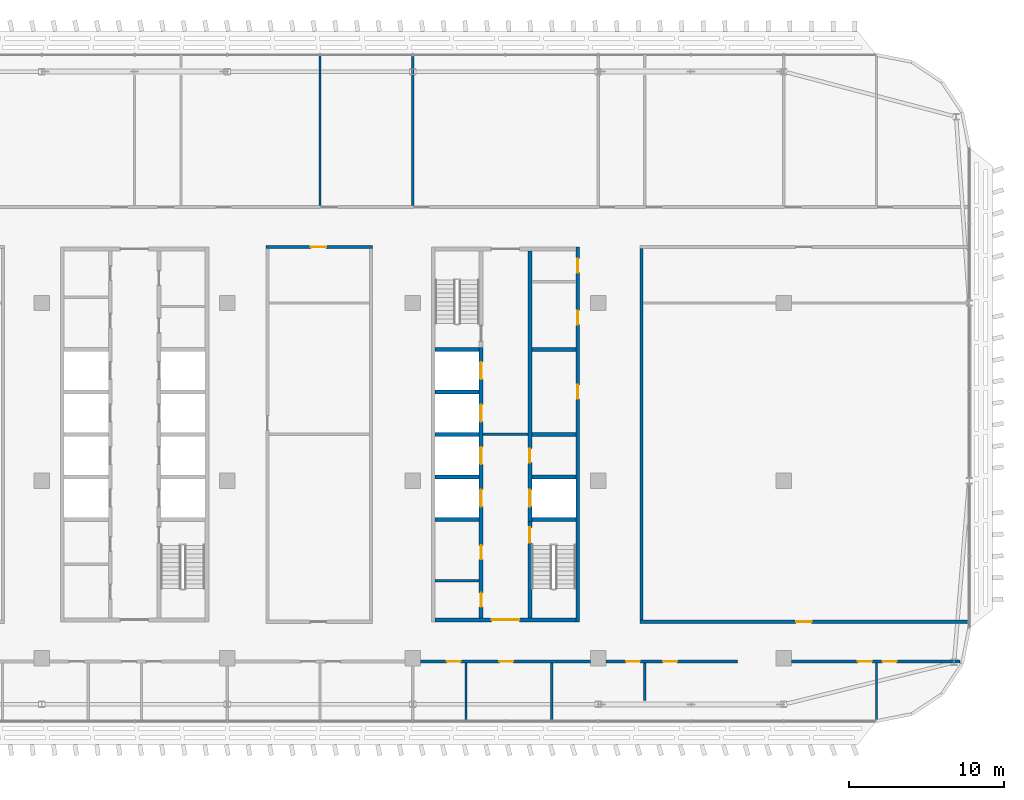
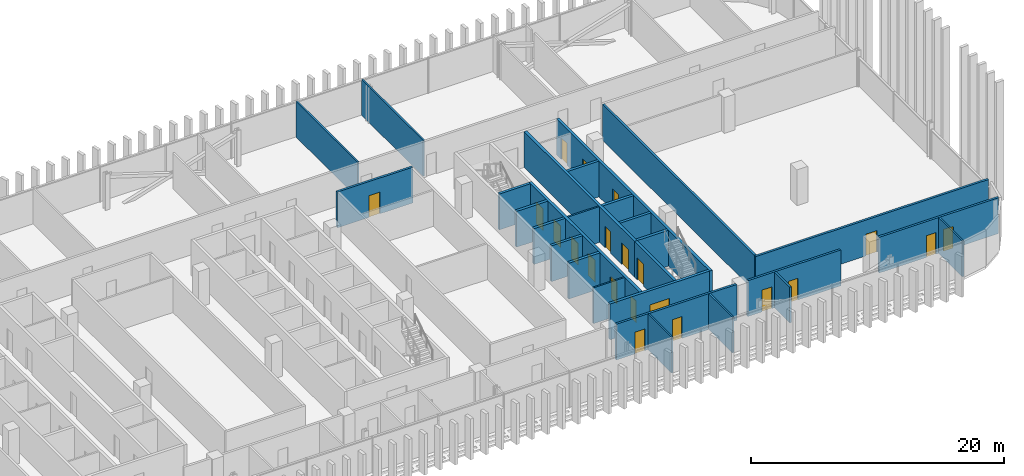
# One storey, part 20 of 32: 28 walls, 21 doors, 21 openings.
"""IFC4 building model written with IfcOpenShell, lengths in metres."""

from ifc_helpers import new_model, si_unit, direction, frame, frame_2d, origin, place, context, subcontext, project, spatial, rectangle, extrude, material, layer, layer_set, type_object, element, fill, save


model = new_model("IFC4")

# Units and contexts
model_context = context("Model", 3, precision=1e-05, world=origin(), true_north=direction((0.0, 1.0)))
body_context = subcontext(model_context, "Body", "Model", "MODEL_VIEW")
ifc_project = project(units=[si_unit("LENGTHUNIT", "METRE"), si_unit("AREAUNIT", "SQUARE_METRE"), si_unit("VOLUMEUNIT", "CUBIC_METRE"), si_unit("PLANEANGLEUNIT", "RADIAN"), si_unit("MASSUNIT", "GRAM", prefix="KILO")], contexts=[model_context])

# Site, building, storey
site_placement = place(None, origin())
site = spatial("IfcSite", under=ifc_project, at=site_placement, CompositionType="ELEMENT")
building_placement = place(site_placement, origin())
building = spatial("IfcBuilding", under=site, at=building_placement, Name="Mahtab Terrace Research Tower", CompositionType="ELEMENT")
storey_placement = place(building_placement, frame((0.0, 0.0, 243.800048828125)))
storey = spatial("IfcBuildingStorey", under=building, at=storey_placement, Name="L59", CompositionType="ELEMENT", Elevation=243.800048828125)

# Walls
ifc_material_1 = material(Name="Gypsum board partition")
ifc_layer_1 = layer(ifc_material_1, 0.14990234375)
ifc_layer_set_1 = layer_set([ifc_layer_1], Name="Core partition 150")
wall_type_1 = type_object("IfcWallType", Name="Core partition 150", PredefinedType="PARTITIONING", material=ifc_layer_set_1)
wall_1_placement = place(storey_placement, frame((22.550048828125, 3.0, 0.0), z_axis=(0.0, 0.0, 1.0), x_axis=(1.0, 0.0, 0.0)))
element("IfcWall", 1, at=wall_1_placement, inside=storey, type_object=wall_type_1, Name="Core wall C ffl", PredefinedType="PARTITIONING", context=body_context, shape_type="SweptSolid", body=[
    extrude(rectangle(XDim=2.89990234375, YDim=0.14990234375, at=frame_2d((1.449951171875, 0.0))), origin(), (0.0, 0.0, 1.0), 3.4599609375),
])
wall_2_placement = place(storey_placement, frame((19.449951171875, -6.47509765625, 0.0), z_axis=(0.0, 0.0, 1.0), x_axis=(1.0, 0.0, 0.0)))
element("IfcWall", 2, at=wall_2_placement, inside=storey, type_object=wall_type_1, Name="Core wall C pWS-948", PredefinedType="PARTITIONING", context=body_context, shape_type="SweptSolid", body=[
    extrude(rectangle(XDim=2.85009765625, YDim=0.14990234375, at=frame_2d((1.425048828125, 0.0))), origin(), (0.0, 0.0, 1.0), 3.4599609375),
])

# Wall, openings, doors
ifc_material_2 = material(Name="Concrete C70/85", Category="concrete")
ifc_layer_2 = layer(ifc_material_2, 0.25)
ifc_layer_set_2 = layer_set([ifc_layer_2], Name="Core wall 250")
wall_type_2 = type_object("IfcWallType", Name="Core wall 250", PredefinedType="SOLIDWALL", material=ifc_layer_set_2)
wall_3_placement = place(storey_placement, frame((28.675048828125, -9.125, 0.0), z_axis=(0.0, 0.0, 1.0), x_axis=(0.0, 1.0, 0.0)))
wall_3 = element("IfcWall", 3, at=wall_3_placement, inside=storey, type_object=wall_type_2, Name="Core wall C outerE", PredefinedType="SOLIDWALL", context=body_context, shape_type="SweptSolid", body=[
    extrude(rectangle(XDim=24.25, YDim=0.25, at=frame_2d((12.125, 0.0))), origin(), (0.0, 0.0, 1.0), 3.4599609375),
])
opening_1_placement = place(wall_3_placement, frame((14.425048828125, 0.0, 0.0)))
opening_1 = element("IfcOpeningElement", 4, at=opening_1_placement, cuts=wall_3, Name="Opening C-R2", PredefinedType="OPENING", context=body_context, shape_type="SweptSolid", body=[
    extrude(rectangle(XDim=0.89990234375, YDim=2.10009765625, at=frame_2d((0.449951171875, 1.050048828125))), frame((0.0, 0.135009765625, 0.0), z_axis=(0.0, -1.0, 0.0), x_axis=(1.0, 0.0, 0.0)), (0.0, 0.0, 1.0), 0.27001953125),
])
opening_2_placement = place(wall_3_placement, frame((19.22509765625, 0.0, 0.0)))
opening_2 = element("IfcOpeningElement", 5, at=opening_2_placement, cuts=wall_3, Name="Opening C-R5", PredefinedType="OPENING", context=body_context, shape_type="SweptSolid", body=[
    extrude(rectangle(XDim=0.89990234375, YDim=2.10009765625, at=frame_2d((0.449951171875, 1.050048828125))), frame((0.0, 0.135009765625, 0.0), z_axis=(0.0, -1.0, 0.0), x_axis=(1.0, 0.0, 0.0)), (0.0, 0.0, 1.0), 0.27001953125),
])
opening_3_placement = place(wall_3_placement, frame((22.58740234375, 0.0, 0.0)))
opening_3 = element("IfcOpeningElement", 6, at=opening_3_placement, cuts=wall_3, Name="Opening C-R6", PredefinedType="OPENING", context=body_context, shape_type="SweptSolid", body=[
    extrude(rectangle(XDim=0.89990234375, YDim=2.10009765625, at=frame_2d((0.449951171875, 1.050048828125))), frame((0.0, 0.135009765625, 0.0), z_axis=(0.0, -1.0, 0.0), x_axis=(1.0, 0.0, 0.0)), (0.0, 0.0, 1.0), 0.27001953125),
])
ifc_material_3 = material(Name="Steel fire door", Category="steel")
door_type_1 = type_object("IfcDoorType", Name="Room door 900x2100 1 HR", OperationType="NOTDEFINED", PredefinedType="DOOR", material=ifc_material_3)
door_1_placement = place(opening_1_placement, origin())
door_1 = element("IfcDoor", 7, at=door_1_placement, inside=storey, type_object=door_type_1, Name="Plant room door", OperationType="SINGLE_SWING_RIGHT", OverallHeight=2.10009765625, OverallWidth=0.89990234375, PredefinedType="DOOR", context=body_context, shape_type="SweptSolid", body=[
    extrude(rectangle(XDim=0.89990234375, YDim=2.10009765625, at=frame_2d((0.449951171875, 1.050048828125))), frame((0.0, 0.02490234375, 0.0), z_axis=(0.0, -1.0, 0.0), x_axis=(1.0, 0.0, 0.0)), (0.0, 0.0, 1.0), 0.050048828125),
])
fill(opening_1, door_1)
door_2_placement = place(opening_2_placement, origin())
door_2 = element("IfcDoor", 8, at=door_2_placement, inside=storey, type_object=door_type_1, Name="IT equipment room door", OperationType="SINGLE_SWING_LEFT", OverallHeight=2.10009765625, OverallWidth=0.89990234375, PredefinedType="DOOR", context=body_context, shape_type="SweptSolid", body=[
    extrude(rectangle(XDim=0.89990234375, YDim=2.10009765625, at=frame_2d((0.449951171875, 1.050048828125))), frame((0.0, 0.02490234375, 0.0), z_axis=(0.0, -1.0, 0.0), x_axis=(1.0, 0.0, 0.0)), (0.0, 0.0, 1.0), 0.050048828125),
])
fill(opening_2, door_2)
door_3_placement = place(opening_3_placement, origin())
door_3 = element("IfcDoor", 9, at=door_3_placement, inside=storey, type_object=door_type_1, Name="Electrical riser room door", OperationType="SINGLE_SWING_RIGHT", OverallHeight=2.10009765625, OverallWidth=0.89990234375, PredefinedType="DOOR", context=body_context, shape_type="SweptSolid", body=[
    extrude(rectangle(XDim=0.89990234375, YDim=2.10009765625, at=frame_2d((0.449951171875, 1.050048828125))), frame((0.0, 0.02490234375, 0.0), z_axis=(0.0, -1.0, 0.0), x_axis=(1.0, 0.0, 0.0)), (0.0, 0.0, 1.0), 0.050048828125),
])
fill(opening_3, door_3)

# Wall, opening, door
wall_4_placement = place(storey_placement, frame((28.550048828125, -9.0, 0.0), z_axis=(0.0, 0.0, 1.0), x_axis=(-1.0, 0.0, 0.0)))
wall_4 = element("IfcWall", 10, at=wall_4_placement, inside=storey, type_object=wall_type_2, Name="Core wall C endS", PredefinedType="SOLIDWALL", context=body_context, shape_type="SweptSolid", body=[
    extrude(rectangle(XDim=9.10009765625, YDim=0.25, at=frame_2d((4.550048828125, 0.0))), origin(), (0.0, 0.0, 1.0), 3.4599609375),
])
opening_4_placement = place(wall_4_placement, frame((3.64990234375, 0.0, 0.0)))
opening_4 = element("IfcOpeningElement", 11, at=opening_4_placement, cuts=wall_4, Name="Opening C-S1", PredefinedType="OPENING", context=body_context, shape_type="SweptSolid", body=[
    extrude(rectangle(XDim=1.800048828125, YDim=2.10009765625, at=frame_2d((0.89990234375, 1.050048828125))), frame((0.0, 0.135009765625, 0.0), z_axis=(0.0, -1.0, 0.0), x_axis=(1.0, 0.0, 0.0)), (0.0, 0.0, 1.0), 0.27001953125),
])
door_type_2 = type_object("IfcDoorType", Name="Lobby double door 1800x2100 1 HR", OperationType="DOUBLE_DOOR_SINGLE_SWING", PredefinedType="DOOR", material=ifc_material_3)
door_4_placement = place(opening_4_placement, origin())
door_4 = element("IfcDoor", 12, at=door_4_placement, inside=storey, type_object=door_type_2, Name="Core entrance door C S", OperationType="DOUBLE_DOOR_SINGLE_SWING", OverallHeight=2.10009765625, OverallWidth=1.800048828125, PredefinedType="DOOR", context=body_context, shape_type="SweptSolid", body=[
    extrude(rectangle(XDim=1.800048828125, YDim=2.10009765625, at=frame_2d((0.89990234375, 1.050048828125))), frame((0.0, 0.02490234375, 0.0), z_axis=(0.0, -1.0, 0.0), x_axis=(1.0, 0.0, 0.0)), (0.0, 0.0, 1.0), 0.050048828125),
])
fill(opening_4, door_4)

# Wall, openings, doors
wall_5_placement = place(storey_placement, frame((22.425048828125, -8.875, 0.0), z_axis=(0.0, 0.0, 1.0), x_axis=(0.0, 1.0, 0.0)))
wall_5 = element("IfcWall", 13, at=wall_5_placement, inside=storey, type_object=wall_type_2, Name="Core wall C innerWSL", PredefinedType="SOLIDWALL", context=body_context, shape_type="SweptSolid", body=[
    extrude(rectangle(XDim=17.5, YDim=0.25, at=frame_2d((8.75, 0.0))), origin(), (0.0, 0.0, 1.0), 3.4599609375),
])
opening_5_placement = place(wall_5_placement, frame((7.199951171875, 0.0, 0.0)))
opening_5 = element("IfcOpeningElement", 14, at=opening_5_placement, cuts=wall_5, Name="Opening LD17-L59", PredefinedType="OPENING", context=body_context, shape_type="SweptSolid", body=[
    extrude(rectangle(XDim=1.10009765625, YDim=2.10009765625, at=frame_2d((0.550048828125, 1.050048828125))), frame((0.0, 0.135009765625, 0.0), z_axis=(0.0, -1.0, 0.0), x_axis=(1.0, 0.0, 0.0)), (0.0, 0.0, 1.0), 0.27001953125),
])
opening_6_placement = place(wall_5_placement, frame((9.949951171875, 0.0, 0.0)))
opening_6 = element("IfcOpeningElement", 15, at=opening_6_placement, cuts=wall_5, Name="Opening LD18-L59", PredefinedType="OPENING", context=body_context, shape_type="SweptSolid", body=[
    extrude(rectangle(XDim=1.10009765625, YDim=2.10009765625, at=frame_2d((0.550048828125, 1.050048828125))), frame((0.0, 0.135009765625, 0.0), z_axis=(0.0, -1.0, 0.0), x_axis=(1.0, 0.0, 0.0)), (0.0, 0.0, 1.0), 0.27001953125),
])
opening_7_placement = place(wall_5_placement, frame((12.699951171875, 0.0, 0.0)))
opening_7 = element("IfcOpeningElement", 16, at=opening_7_placement, cuts=wall_5, Name="Opening LD19-L59", PredefinedType="OPENING", context=body_context, shape_type="SweptSolid", body=[
    extrude(rectangle(XDim=1.10009765625, YDim=2.10009765625, at=frame_2d((0.550048828125, 1.050048828125))), frame((0.0, 0.135009765625, 0.0), z_axis=(0.0, -1.0, 0.0), x_axis=(1.0, 0.0, 0.0)), (0.0, 0.0, 1.0), 0.27001953125),
])
opening_8_placement = place(wall_5_placement, frame((15.449951171875, 0.0, 0.0)))
opening_8 = element("IfcOpeningElement", 17, at=opening_8_placement, cuts=wall_5, Name="Opening LD20-L59", PredefinedType="OPENING", context=body_context, shape_type="SweptSolid", body=[
    extrude(rectangle(XDim=1.10009765625, YDim=2.10009765625, at=frame_2d((0.550048828125, 1.050048828125))), frame((0.0, 0.135009765625, 0.0), z_axis=(0.0, -1.0, 0.0), x_axis=(1.0, 0.0, 0.0)), (0.0, 0.0, 1.0), 0.27001953125),
])
opening_9_placement = place(wall_5_placement, frame((0.71240234375, 0.0, 0.0)))
opening_9 = element("IfcOpeningElement", 18, at=opening_9_placement, cuts=wall_5, Name="Opening C-R3", PredefinedType="OPENING", context=body_context, shape_type="SweptSolid", body=[
    extrude(rectangle(XDim=0.89990234375, YDim=2.10009765625, at=frame_2d((0.449951171875, 1.050048828125))), frame((0.0, 0.135009765625, 0.0), z_axis=(0.0, -1.0, 0.0), x_axis=(1.0, 0.0, 0.0)), (0.0, 0.0, 1.0), 0.27001953125),
])
opening_10_placement = place(wall_5_placement, frame((3.78759765625, 0.0, 0.0)))
opening_10 = element("IfcOpeningElement", 19, at=opening_10_placement, cuts=wall_5, Name="Opening C-R4", PredefinedType="OPENING", context=body_context, shape_type="SweptSolid", body=[
    extrude(rectangle(XDim=0.89990234375, YDim=2.10009765625, at=frame_2d((0.449951171875, 1.050048828125))), frame((0.0, 0.135009765625, 0.0), z_axis=(0.0, -1.0, 0.0), x_axis=(1.0, 0.0, 0.0)), (0.0, 0.0, 1.0), 0.27001953125),
])
ifc_material_4 = material(Name="Stainless steel AISI 304", Category="steel")
door_type_3 = type_object("IfcDoorType", Name="Landing door 1100x2100", OperationType="DOUBLE_DOOR_SLIDING", PredefinedType="DOOR", material=ifc_material_4)
door_5_placement = place(opening_5_placement, origin())
door_5 = element("IfcDoor", 20, at=door_5_placement, inside=storey, type_object=door_type_3, Name="Landing door SV1 L59", OperationType="DOUBLE_DOOR_SLIDING", OverallHeight=2.10009765625, OverallWidth=1.10009765625, PredefinedType="DOOR", context=body_context, shape_type="SweptSolid", body=[
    extrude(rectangle(XDim=1.10009765625, YDim=2.10009765625, at=frame_2d((0.550048828125, 1.050048828125))), frame((0.0, 0.02490234375, 0.0), z_axis=(0.0, -1.0, 0.0), x_axis=(1.0, 0.0, 0.0)), (0.0, 0.0, 1.0), 0.050048828125),
])
fill(opening_5, door_5)
door_6_placement = place(opening_6_placement, origin())
door_6 = element("IfcDoor", 21, at=door_6_placement, inside=storey, type_object=door_type_3, Name="Landing door SV2 L59", OperationType="DOUBLE_DOOR_SLIDING", OverallHeight=2.10009765625, OverallWidth=1.10009765625, PredefinedType="DOOR", context=body_context, shape_type="SweptSolid", body=[
    extrude(rectangle(XDim=1.10009765625, YDim=2.10009765625, at=frame_2d((0.550048828125, 1.050048828125))), frame((0.0, 0.02490234375, 0.0), z_axis=(0.0, -1.0, 0.0), x_axis=(1.0, 0.0, 0.0)), (0.0, 0.0, 1.0), 0.050048828125),
])
fill(opening_6, door_6)
door_7_placement = place(opening_7_placement, origin())
door_7 = element("IfcDoor", 22, at=door_7_placement, inside=storey, type_object=door_type_3, Name="Landing door FF1 L59", OperationType="DOUBLE_DOOR_SLIDING", OverallHeight=2.10009765625, OverallWidth=1.10009765625, PredefinedType="DOOR", context=body_context, shape_type="SweptSolid", body=[
    extrude(rectangle(XDim=1.10009765625, YDim=2.10009765625, at=frame_2d((0.550048828125, 1.050048828125))), frame((0.0, 0.02490234375, 0.0), z_axis=(0.0, -1.0, 0.0), x_axis=(1.0, 0.0, 0.0)), (0.0, 0.0, 1.0), 0.050048828125),
])
fill(opening_7, door_7)
door_8_placement = place(opening_8_placement, origin())
door_8 = element("IfcDoor", 23, at=door_8_placement, inside=storey, type_object=door_type_3, Name="Landing door FF2 L59", OperationType="DOUBLE_DOOR_SLIDING", OverallHeight=2.10009765625, OverallWidth=1.10009765625, PredefinedType="DOOR", context=body_context, shape_type="SweptSolid", body=[
    extrude(rectangle(XDim=1.10009765625, YDim=2.10009765625, at=frame_2d((0.550048828125, 1.050048828125))), frame((0.0, 0.02490234375, 0.0), z_axis=(0.0, -1.0, 0.0), x_axis=(1.0, 0.0, 0.0)), (0.0, 0.0, 1.0), 0.050048828125),
])
fill(opening_8, door_8)
door_9_placement = place(opening_9_placement, origin())
door_9 = element("IfcDoor", 24, at=door_9_placement, inside=storey, type_object=door_type_1, Name="Accessible WC door", OperationType="SINGLE_SWING_LEFT", OverallHeight=2.10009765625, OverallWidth=0.89990234375, PredefinedType="DOOR", context=body_context, shape_type="SweptSolid", body=[
    extrude(rectangle(XDim=0.89990234375, YDim=2.10009765625, at=frame_2d((0.449951171875, 1.050048828125))), frame((0.0, 0.02490234375, 0.0), z_axis=(0.0, -1.0, 0.0), x_axis=(1.0, 0.0, 0.0)), (0.0, 0.0, 1.0), 0.050048828125),
])
fill(opening_9, door_9)
door_10_placement = place(opening_10_placement, origin())
door_10 = element("IfcDoor", 25, at=door_10_placement, inside=storey, type_object=door_type_1, Name="WC block door", OperationType="SINGLE_SWING_RIGHT", OverallHeight=2.10009765625, OverallWidth=0.89990234375, PredefinedType="DOOR", context=body_context, shape_type="SweptSolid", body=[
    extrude(rectangle(XDim=0.89990234375, YDim=2.10009765625, at=frame_2d((0.449951171875, 1.050048828125))), frame((0.0, 0.02490234375, 0.0), z_axis=(0.0, -1.0, 0.0), x_axis=(1.0, 0.0, 0.0)), (0.0, 0.0, 1.0), 0.050048828125),
])
fill(opening_10, door_10)

# Wall, opening, door
wall_6_placement = place(storey_placement, frame((25.574951171875, -8.875, 0.0), z_axis=(0.0, 0.0, 1.0), x_axis=(0.0, 1.0, 0.0)))
wall_6 = element("IfcWall", 26, at=wall_6_placement, inside=storey, type_object=wall_type_2, Name="Core wall C innerES", PredefinedType="SOLIDWALL", context=body_context, shape_type="SweptSolid", body=[
    extrude(rectangle(XDim=6.25, YDim=0.25, at=frame_2d((3.125, 0.0))), origin(), (0.0, 0.0, 1.0), 3.4599609375),
])
opening_11_placement = place(wall_6_placement, frame((4.85009765625, 0.0, 0.0)))
opening_11 = element("IfcOpeningElement", 27, at=opening_11_placement, cuts=wall_6, Name="Opening C-ST4", PredefinedType="OPENING", context=body_context, shape_type="SweptSolid", body=[
    extrude(rectangle(XDim=1.0, YDim=2.10009765625, at=frame_2d((0.5, 1.050048828125))), frame((0.0, 0.135009765625, 0.0), z_axis=(0.0, -1.0, 0.0), x_axis=(1.0, 0.0, 0.0)), (0.0, 0.0, 1.0), 0.27001953125),
])
door_type_4 = type_object("IfcDoorType", Name="Stair door 1000x2100 1.5 HR", OperationType="NOTDEFINED", PredefinedType="DOOR", material=ifc_material_3)
door_11_placement = place(opening_11_placement, origin())
door_11 = element("IfcDoor", 28, at=door_11_placement, inside=storey, type_object=door_type_4, Name="Stair door ST4 L59", OperationType="SINGLE_SWING_RIGHT", OverallHeight=2.10009765625, OverallWidth=1.0, PredefinedType="DOOR", context=body_context, shape_type="SweptSolid", body=[
    extrude(rectangle(XDim=1.0, YDim=2.10009765625, at=frame_2d((0.5, 1.050048828125))), frame((0.0, 0.02490234375, 0.0), z_axis=(0.0, -1.0, 0.0), x_axis=(1.0, 0.0, 0.0)), (0.0, 0.0, 1.0), 0.050048828125),
])
fill(opening_11, door_11)

# Wall, openings, doors
wall_7_placement = place(storey_placement, frame((25.574951171875, 14.875, 0.0), z_axis=(0.0, 0.0, 1.0), x_axis=(0.0, -1.0, 0.0)))
wall_7 = element("IfcWall", 29, at=wall_7_placement, inside=storey, type_object=wall_type_2, Name="Core wall C innerELN", PredefinedType="SOLIDWALL", context=body_context, shape_type="SweptSolid", body=[
    extrude(rectangle(XDim=17.5, YDim=0.25, at=frame_2d((8.75, 0.0))), origin(), (0.0, 0.0, 1.0), 3.4599609375),
])
opening_12_placement = place(wall_7_placement, frame((15.449951171875, 0.0, 0.0)))
opening_12 = element("IfcOpeningElement", 30, at=opening_12_placement, cuts=wall_7, Name="Opening LD21-L59", PredefinedType="OPENING", context=body_context, shape_type="SweptSolid", body=[
    extrude(rectangle(XDim=1.10009765625, YDim=2.10009765625, at=frame_2d((0.550048828125, 1.050048828125))), frame((0.0, 0.135009765625, 0.0), z_axis=(0.0, -1.0, 0.0), x_axis=(1.0, 0.0, 0.0)), (0.0, 0.0, 1.0), 0.27001953125),
])
opening_13_placement = place(wall_7_placement, frame((12.800048828125, 0.0, 0.0)))
opening_13 = element("IfcOpeningElement", 31, at=opening_13_placement, cuts=wall_7, Name="Opening C-R1", PredefinedType="OPENING", context=body_context, shape_type="SweptSolid", body=[
    extrude(rectangle(XDim=0.89990234375, YDim=2.10009765625, at=frame_2d((0.449951171875, 1.050048828125))), frame((0.0, 0.135009765625, 0.0), z_axis=(0.0, -1.0, 0.0), x_axis=(1.0, 0.0, 0.0)), (0.0, 0.0, 1.0), 0.27001953125),
])
door_12_placement = place(opening_12_placement, origin())
door_12 = element("IfcDoor", 32, at=door_12_placement, inside=storey, type_object=door_type_3, Name="Landing door SV3 L59", OperationType="DOUBLE_DOOR_SLIDING", OverallHeight=2.10009765625, OverallWidth=1.10009765625, PredefinedType="DOOR", context=body_context, shape_type="SweptSolid", body=[
    extrude(rectangle(XDim=1.10009765625, YDim=2.10009765625, at=frame_2d((0.550048828125, 1.050048828125))), frame((0.0, 0.02490234375, 0.0), z_axis=(0.0, -1.0, 0.0), x_axis=(1.0, 0.0, 0.0)), (0.0, 0.0, 1.0), 0.050048828125),
])
fill(opening_12, door_12)
door_13_placement = place(opening_13_placement, origin())
door_13 = element("IfcDoor", 33, at=door_13_placement, inside=storey, type_object=door_type_1, Name="Plant room door", OperationType="SINGLE_SWING_LEFT", OverallHeight=2.10009765625, OverallWidth=0.89990234375, PredefinedType="DOOR", context=body_context, shape_type="SweptSolid", body=[
    extrude(rectangle(XDim=0.89990234375, YDim=2.10009765625, at=frame_2d((0.449951171875, 1.050048828125))), frame((0.0, 0.02490234375, 0.0), z_axis=(0.0, -1.0, 0.0), x_axis=(1.0, 0.0, 0.0)), (0.0, 0.0, 1.0), 0.050048828125),
])
fill(opening_13, door_13)

# Walls
for number, where, z_axis, x_axis, name in (
    (34, (19.449951171875, -2.5, 0.0), (0.0, 0.0, 1.0), (1.0, 0.0, 0.0), "Core wall C divW0"),
    (35, (19.449951171875, 0.25, 0.0), (0.0, 0.0, 1.0), (1.0, 0.0, 0.0), "Core wall C divW1"),
    (36, (19.449951171875, 3.0, 0.0), (0.0, 0.0, 1.0), (1.0, 0.0, 0.0), "Core wall C divW2"),
    (37, (19.449951171875, 5.75, 0.0), (0.0, 0.0, 1.0), (1.0, 0.0, 0.0), "Core wall C divW3"),
    (38, (19.449951171875, 8.5, 0.0), (0.0, 0.0, 1.0), (1.0, 0.0, 0.0), "Core wall C divW4"),
    (39, (25.699951171875, -2.5, 0.0), (0.0, 0.0, 1.0), (1.0, 0.0, 0.0), "Core wall C divE0"),
    (40, (25.699951171875, 0.25, 0.0), (0.0, 0.0, 1.0), (1.0, 0.0, 0.0), "Core wall C divE1"),
    (41, (25.699951171875, 3.0, 0.0), (0.0, 0.0, 1.0), (1.0, 0.0, 0.0), "Core wall C divE2"),
    (42, (25.699951171875, 8.5, 0.0), (0.0, 0.0, 1.0), (1.0, 0.0, 0.0), "Core wall C divE4"),
):
    element("IfcWall", number, at=place(storey_placement, frame(where, z_axis=z_axis, x_axis=x_axis)), inside=storey, type_object=wall_type_2, Name=name, PredefinedType="SOLIDWALL", context=body_context, shape_type="SweptSolid", body=[
        extrude(rectangle(XDim=2.85009765625, YDim=0.25, at=frame_2d((1.425048828125, 0.0))), origin(), (0.0, 0.0, 1.0), 3.4599609375),
    ])

# Wall, openings, doors
ifc_material_5 = material(Name="Gypsum board corridor wall on steel studs", Category="steel")
ifc_layer_3 = layer(ifc_material_5, 0.199951171875)
ifc_layer_set_3 = layer_set([ifc_layer_3], Name="WALL CORRIDOR 200")
wall_type_3 = type_object("IfcWallType", Name="WALL CORRIDOR 200", PredefinedType="PARTITIONING", material=ifc_layer_set_3)
wall_8_placement = place(storey_placement, frame((18.5, -11.699951171875, 0.0), z_axis=(0.0, 0.0, 1.0), x_axis=(1.0, 0.0, 0.0)))
wall_8 = element("IfcWall", 43, at=wall_8_placement, inside=storey, type_object=wall_type_3, Name="L59-W007", PredefinedType="PARTITIONING", context=body_context, shape_type="SweptSolid", body=[
    extrude(rectangle(XDim=11.0, YDim=0.199951171875, at=frame_2d((5.5, 0.0))), origin(), (0.0, 0.0, 1.0), 3.4599609375),
])
opening_14_placement = place(wall_8_placement, frame((1.699951171875, 0.0, 0.0)))
opening_14 = element("IfcOpeningElement", 44, at=opening_14_placement, cuts=wall_8, Name="Opening L59-111", PredefinedType="OPENING", context=body_context, shape_type="SweptSolid", body=[
    extrude(rectangle(XDim=0.89990234375, YDim=2.10009765625, at=frame_2d((0.449951171875, 1.050048828125))), frame((0.0, 0.10986328125, 0.0), z_axis=(0.0, -1.0, 0.0), x_axis=(1.0, 0.0, 0.0)), (0.0, 0.0, 1.0), 0.219970703125),
])
opening_15_placement = place(wall_8_placement, frame((5.10009765625, 0.0, 0.0)))
opening_15 = element("IfcOpeningElement", 45, at=opening_15_placement, cuts=wall_8, Name="Opening L59-112", PredefinedType="OPENING", context=body_context, shape_type="SweptSolid", body=[
    extrude(rectangle(XDim=0.89990234375, YDim=2.10009765625, at=frame_2d((0.449951171875, 1.050048828125))), frame((0.0, 0.10986328125, 0.0), z_axis=(0.0, -1.0, 0.0), x_axis=(1.0, 0.0, 0.0)), (0.0, 0.0, 1.0), 0.219970703125),
])
ifc_material_6 = material(Name="Timber door leaf in steel frame", Category="steel")
door_type_5 = type_object("IfcDoorType", Name="DOOR 0900X2100 FD30S", OperationType="SINGLE_SWING_LEFT", PredefinedType="DOOR", material=ifc_material_6)
door_14_placement = place(opening_14_placement, origin())
door_14 = element("IfcDoor", 46, at=door_14_placement, inside=storey, type_object=door_type_5, Name="Door L59-111", OperationType="SINGLE_SWING_RIGHT", OverallHeight=2.10009765625, OverallWidth=0.89990234375, PredefinedType="DOOR", context=body_context, shape_type="SweptSolid", body=[
    extrude(rectangle(XDim=0.89990234375, YDim=2.10009765625, at=frame_2d((0.449951171875, 1.050048828125))), frame((0.0, 0.02490234375, 0.0), z_axis=(0.0, -1.0, 0.0), x_axis=(1.0, 0.0, 0.0)), (0.0, 0.0, 1.0), 0.050048828125),
])
fill(opening_14, door_14)
door_15_placement = place(opening_15_placement, origin())
door_15 = element("IfcDoor", 47, at=door_15_placement, inside=storey, type_object=door_type_5, Name="Door L59-112", OperationType="SINGLE_SWING_LEFT", OverallHeight=2.10009765625, OverallWidth=0.89990234375, PredefinedType="DOOR", context=body_context, shape_type="SweptSolid", body=[
    extrude(rectangle(XDim=0.89990234375, YDim=2.10009765625, at=frame_2d((0.449951171875, 1.050048828125))), frame((0.0, 0.02490234375, 0.0), z_axis=(0.0, -1.0, 0.0), x_axis=(1.0, 0.0, 0.0)), (0.0, 0.0, 1.0), 0.050048828125),
])
fill(opening_15, door_15)

wall_9_placement = place(storey_placement, frame((30.5, -11.699951171875, 0.0), z_axis=(0.0, 0.0, 1.0), x_axis=(1.0, 0.0, 0.0)))
wall_9 = element("IfcWall", 48, at=wall_9_placement, inside=storey, type_object=wall_type_3, Name="L59-W008", PredefinedType="PARTITIONING", context=body_context, shape_type="SweptSolid", body=[
    extrude(rectangle(XDim=8.5, YDim=0.199951171875, at=frame_2d((4.25, 0.0))), origin(), (0.0, 0.0, 1.0), 3.4599609375),
])
opening_16_placement = place(wall_9_placement, frame((1.300048828125, 0.0, 0.0)))
opening_16 = element("IfcOpeningElement", 49, at=opening_16_placement, cuts=wall_9, Name="Opening L59-113", PredefinedType="OPENING", context=body_context, shape_type="SweptSolid", body=[
    extrude(rectangle(XDim=0.89990234375, YDim=2.10009765625, at=frame_2d((0.449951171875, 1.050048828125))), frame((0.0, 0.10986328125, 0.0), z_axis=(0.0, -1.0, 0.0), x_axis=(1.0, 0.0, 0.0)), (0.0, 0.0, 1.0), 0.219970703125),
])
opening_17_placement = place(wall_9_placement, frame((3.699951171875, 0.0, 0.0)))
opening_17 = element("IfcOpeningElement", 50, at=opening_17_placement, cuts=wall_9, Name="Opening L59-114", PredefinedType="OPENING", context=body_context, shape_type="SweptSolid", body=[
    extrude(rectangle(XDim=0.89990234375, YDim=2.10009765625, at=frame_2d((0.449951171875, 1.050048828125))), frame((0.0, 0.10986328125, 0.0), z_axis=(0.0, -1.0, 0.0), x_axis=(1.0, 0.0, 0.0)), (0.0, 0.0, 1.0), 0.219970703125),
])
door_16_placement = place(opening_16_placement, origin())
door_16 = element("IfcDoor", 51, at=door_16_placement, inside=storey, type_object=door_type_5, Name="Door L59-113", OperationType="SINGLE_SWING_RIGHT", OverallHeight=2.10009765625, OverallWidth=0.89990234375, PredefinedType="DOOR", context=body_context, shape_type="SweptSolid", body=[
    extrude(rectangle(XDim=0.89990234375, YDim=2.10009765625, at=frame_2d((0.449951171875, 1.050048828125))), frame((0.0, 0.02490234375, 0.0), z_axis=(0.0, -1.0, 0.0), x_axis=(1.0, 0.0, 0.0)), (0.0, 0.0, 1.0), 0.050048828125),
])
fill(opening_16, door_16)
door_17_placement = place(opening_17_placement, origin())
door_17 = element("IfcDoor", 52, at=door_17_placement, inside=storey, type_object=door_type_5, Name="Door L59-114", OperationType="SINGLE_SWING_RIGHT", OverallHeight=2.10009765625, OverallWidth=0.89990234375, PredefinedType="DOOR", context=body_context, shape_type="SweptSolid", body=[
    extrude(rectangle(XDim=0.89990234375, YDim=2.10009765625, at=frame_2d((0.449951171875, 1.050048828125))), frame((0.0, 0.02490234375, 0.0), z_axis=(0.0, -1.0, 0.0), x_axis=(1.0, 0.0, 0.0)), (0.0, 0.0, 1.0), 0.050048828125),
])
fill(opening_17, door_17)

wall_10_placement = place(storey_placement, frame((42.5, -11.699951171875, 0.0), z_axis=(0.0, 0.0, 1.0), x_axis=(1.0, 0.0, 0.0)))
wall_10 = element("IfcWall", 53, at=wall_10_placement, inside=storey, type_object=wall_type_3, Name="L59-W009", PredefinedType="PARTITIONING", context=body_context, shape_type="SweptSolid", body=[
    extrude(rectangle(XDim=10.920654296875, YDim=0.199951171875, at=frame_2d((5.46044921875, 0.0))), origin(), (0.0, 0.0, 1.0), 3.4599609375),
])
opening_18_placement = place(wall_10_placement, frame((4.300048828125, 0.0, 0.0)))
opening_18 = element("IfcOpeningElement", 54, at=opening_18_placement, cuts=wall_10, Name="Opening L59-115", PredefinedType="OPENING", context=body_context, shape_type="SweptSolid", body=[
    extrude(rectangle(XDim=0.89990234375, YDim=2.10009765625, at=frame_2d((0.449951171875, 1.050048828125))), frame((0.0, 0.10986328125, 0.0), z_axis=(0.0, -1.0, 0.0), x_axis=(1.0, 0.0, 0.0)), (0.0, 0.0, 1.0), 0.219970703125),
])
opening_19_placement = place(wall_10_placement, frame((5.89990234375, 0.0, 0.0)))
opening_19 = element("IfcOpeningElement", 55, at=opening_19_placement, cuts=wall_10, Name="Opening L59-116", PredefinedType="OPENING", context=body_context, shape_type="SweptSolid", body=[
    extrude(rectangle(XDim=0.89990234375, YDim=2.10009765625, at=frame_2d((0.449951171875, 1.050048828125))), frame((0.0, 0.10986328125, 0.0), z_axis=(0.0, -1.0, 0.0), x_axis=(1.0, 0.0, 0.0)), (0.0, 0.0, 1.0), 0.219970703125),
])
door_18_placement = place(opening_18_placement, origin())
door_18 = element("IfcDoor", 56, at=door_18_placement, inside=storey, type_object=door_type_5, Name="Door L59-115", OperationType="SINGLE_SWING_RIGHT", OverallHeight=2.10009765625, OverallWidth=0.89990234375, PredefinedType="DOOR", context=body_context, shape_type="SweptSolid", body=[
    extrude(rectangle(XDim=0.89990234375, YDim=2.10009765625, at=frame_2d((0.449951171875, 1.050048828125))), frame((0.0, 0.02490234375, 0.0), z_axis=(0.0, -1.0, 0.0), x_axis=(1.0, 0.0, 0.0)), (0.0, 0.0, 1.0), 0.050048828125),
])
fill(opening_18, door_18)
door_19_placement = place(opening_19_placement, origin())
door_19 = element("IfcDoor", 57, at=door_19_placement, inside=storey, type_object=door_type_5, Name="Door L59-116", OperationType="SINGLE_SWING_LEFT", OverallHeight=2.10009765625, OverallWidth=0.89990234375, PredefinedType="DOOR", context=body_context, shape_type="SweptSolid", body=[
    extrude(rectangle(XDim=0.89990234375, YDim=2.10009765625, at=frame_2d((0.449951171875, 1.050048828125))), frame((0.0, 0.02490234375, 0.0), z_axis=(0.0, -1.0, 0.0), x_axis=(1.0, 0.0, 0.0)), (0.0, 0.0, 1.0), 0.050048828125),
])
fill(opening_19, door_19)

# Wall, opening, door
wall_11_placement = place(storey_placement, frame((32.699951171875, -9.125, 0.0), z_axis=(0.0, 0.0, 1.0), x_axis=(1.0, 0.0, 0.0)))
wall_11 = element("IfcWall", 58, at=wall_11_placement, inside=storey, type_object=wall_type_3, Name="L59-W013", PredefinedType="PARTITIONING", context=body_context, shape_type="SweptSolid", body=[
    extrude(rectangle(XDim=21.275146484375, YDim=0.199951171875, at=frame_2d((10.6376953125, 0.0))), origin(), (0.0, 0.0, 1.0), 3.4599609375),
])
opening_20_placement = place(wall_11_placement, frame((10.10009765625, 0.0, 0.0)))
opening_20 = element("IfcOpeningElement", 59, at=opening_20_placement, cuts=wall_11, Name="Opening L59-120", PredefinedType="OPENING", context=body_context, shape_type="SweptSolid", body=[
    extrude(rectangle(XDim=1.0, YDim=2.10009765625, at=frame_2d((0.5, 1.050048828125))), frame((0.0, 0.10986328125, 0.0), z_axis=(0.0, -1.0, 0.0), x_axis=(1.0, 0.0, 0.0)), (0.0, 0.0, 1.0), 0.219970703125),
])
door_type_6 = type_object("IfcDoorType", Name="DOOR 1000X2100 FD30S", OperationType="SINGLE_SWING_LEFT", PredefinedType="DOOR", material=ifc_material_6)
door_20_placement = place(opening_20_placement, origin())
door_20 = element("IfcDoor", 60, at=door_20_placement, inside=storey, type_object=door_type_6, Name="Door L59-120", OperationType="SINGLE_SWING_RIGHT", OverallHeight=2.10009765625, OverallWidth=1.0, PredefinedType="DOOR", context=body_context, shape_type="SweptSolid", body=[
    extrude(rectangle(XDim=1.0, YDim=2.10009765625, at=frame_2d((0.5, 1.050048828125))), frame((0.0, 0.02490234375, 0.0), z_axis=(0.0, -1.0, 0.0), x_axis=(1.0, 0.0, 0.0)), (0.0, 0.0, 1.0), 0.050048828125),
])
fill(opening_20, door_20)

wall_12_placement = place(storey_placement, frame((8.5, 15.125, 0.0), z_axis=(0.0, 0.0, 1.0), x_axis=(1.0, 0.0, 0.0)))
wall_12 = element("IfcWall", 61, at=wall_12_placement, inside=storey, type_object=wall_type_3, Name="L59-W023", PredefinedType="PARTITIONING", context=body_context, shape_type="SweptSolid", body=[
    extrude(rectangle(XDim=6.89990234375, YDim=0.199951171875, at=frame_2d((3.449951171875, 0.0))), origin(), (0.0, 0.0, 1.0), 3.4599609375),
])
opening_21_placement = place(wall_12_placement, frame((2.89990234375, 0.0, 0.0)))
opening_21 = element("IfcOpeningElement", 62, at=opening_21_placement, cuts=wall_12, Name="Opening L59-125", PredefinedType="OPENING", context=body_context, shape_type="SweptSolid", body=[
    extrude(rectangle(XDim=1.0, YDim=2.10009765625, at=frame_2d((0.5, 1.050048828125))), frame((0.0, 0.10986328125, 0.0), z_axis=(0.0, -1.0, 0.0), x_axis=(1.0, 0.0, 0.0)), (0.0, 0.0, 1.0), 0.219970703125),
])
door_21_placement = place(opening_21_placement, origin())
door_21 = element("IfcDoor", 63, at=door_21_placement, inside=storey, type_object=door_type_6, Name="Door L59-125", OperationType="SINGLE_SWING_RIGHT", OverallHeight=2.10009765625, OverallWidth=1.0, PredefinedType="DOOR", context=body_context, shape_type="SweptSolid", body=[
    extrude(rectangle(XDim=1.0, YDim=2.10009765625, at=frame_2d((0.5, 1.050048828125))), frame((0.0, 0.02490234375, 0.0), z_axis=(0.0, -1.0, 0.0), x_axis=(1.0, 0.0, 0.0)), (0.0, 0.0, 1.0), 0.050048828125),
])
fill(opening_21, door_21)

# Walls
wall_13_placement = place(storey_placement, frame((32.800048828125, -9.02490234375, 0.0), z_axis=(0.0, 0.0, 1.0), x_axis=(0.0, 1.0, 0.0)))
element("IfcWall", 64, at=wall_13_placement, inside=storey, type_object=wall_type_3, Name="L59-W054", PredefinedType="PARTITIONING", context=body_context, shape_type="SweptSolid", body=[
    extrude(rectangle(XDim=24.0498046875, YDim=0.199951171875, at=frame_2d((12.02490234375, 0.0))), origin(), (0.0, 0.0, 1.0), 3.4599609375),
])
ifc_material_7 = material(Name="Gypsum board partition on steel studs", Category="steel")
ifc_layer_4 = layer(ifc_material_7, 0.14990234375)
ifc_layer_set_4 = layer_set([ifc_layer_4], Name="WALL PARTITION 150")
wall_type_4 = type_object("IfcWallType", Name="WALL PARTITION 150", PredefinedType="PARTITIONING", material=ifc_layer_set_4)
for number, where, z_axis, x_axis, name in (
    (65, (12.0, 17.800048828125, 0.0), (0.0, 0.0, 1.0), (0.0, 1.0, 0.0), "L59-W047"),
    (66, (18.0, 17.800048828125, 0.0), (0.0, 0.0, 1.0), (0.0, 1.0, 0.0), "L59-W050"),
):
    element("IfcWall", number, at=place(storey_placement, frame(where, z_axis=z_axis, x_axis=x_axis)), inside=storey, type_object=wall_type_4, Name=name, PredefinedType="PARTITIONING", context=body_context, shape_type="SweptSolid", body=[
        extrude(rectangle(XDim=9.73095703125, YDim=0.14990234375, at=frame_2d((4.865478515625, 0.0))), origin(), (0.0, 0.0, 1.0), 3.4599609375),
    ])
for number, where, z_axis, x_axis, name in (
    (67, (21.449951171875, -15.531005859375, 0.0), (0.0, 0.0, 1.0), (0.0, 1.0, 0.0), "L59-W051"),
    (68, (27.0, -15.531005859375, 0.0), (0.0, 0.0, 1.0), (0.0, 1.0, 0.0), "L59-W052"),
):
    element("IfcWall", number, at=place(storey_placement, frame(where, z_axis=z_axis, x_axis=x_axis)), inside=storey, type_object=wall_type_4, Name=name, PredefinedType="PARTITIONING", context=body_context, shape_type="SweptSolid", body=[
        extrude(rectangle(XDim=3.73095703125, YDim=0.14990234375, at=frame_2d((1.865478515625, 0.0))), origin(), (0.0, 0.0, 1.0), 3.4599609375),
    ])
wall_14_placement = place(storey_placement, frame((33.0, -14.220703125, 0.0), z_axis=(0.0, 0.0, 1.0), x_axis=(0.0, 1.0, 0.0)))
element("IfcWall", 69, at=wall_14_placement, inside=storey, type_object=wall_type_4, Name="L59-W055", PredefinedType="PARTITIONING", context=body_context, shape_type="SweptSolid", body=[
    extrude(rectangle(XDim=2.420654296875, YDim=0.14990234375, at=frame_2d((1.21044921875, 0.0))), origin(), (0.0, 0.0, 1.0), 3.4599609375),
])
wall_15_placement = place(storey_placement, frame((48.0, -15.531005859375, 0.0), z_axis=(0.0, 0.0, 1.0), x_axis=(0.0, 1.0, 0.0)))
element("IfcWall", 70, at=wall_15_placement, inside=storey, type_object=wall_type_4, Name="L59-W059", PredefinedType="PARTITIONING", context=body_context, shape_type="SweptSolid", body=[
    extrude(rectangle(XDim=3.73095703125, YDim=0.14990234375, at=frame_2d((1.865478515625, 0.0))), origin(), (0.0, 0.0, 1.0), 3.4599609375),
])

save(model, "model.ifc")
